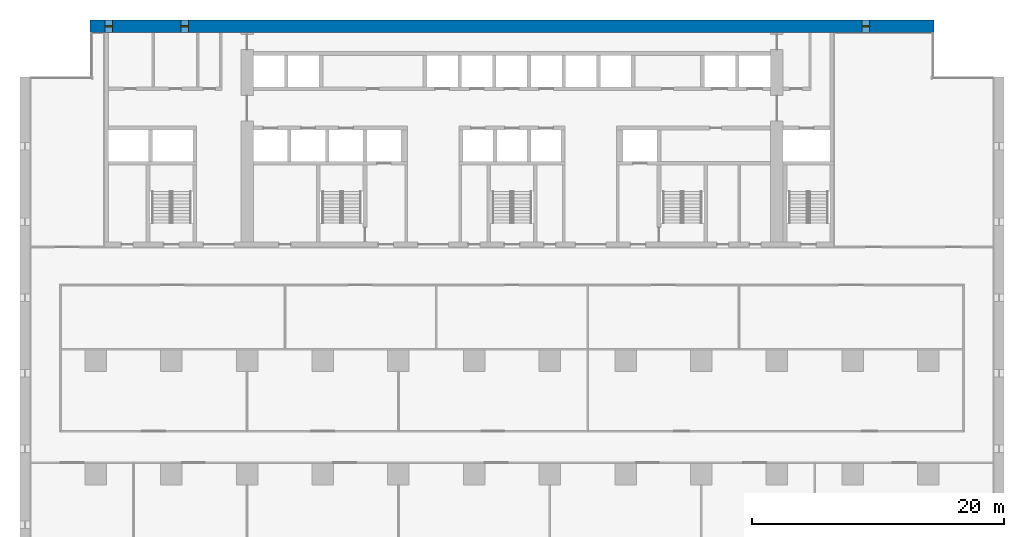
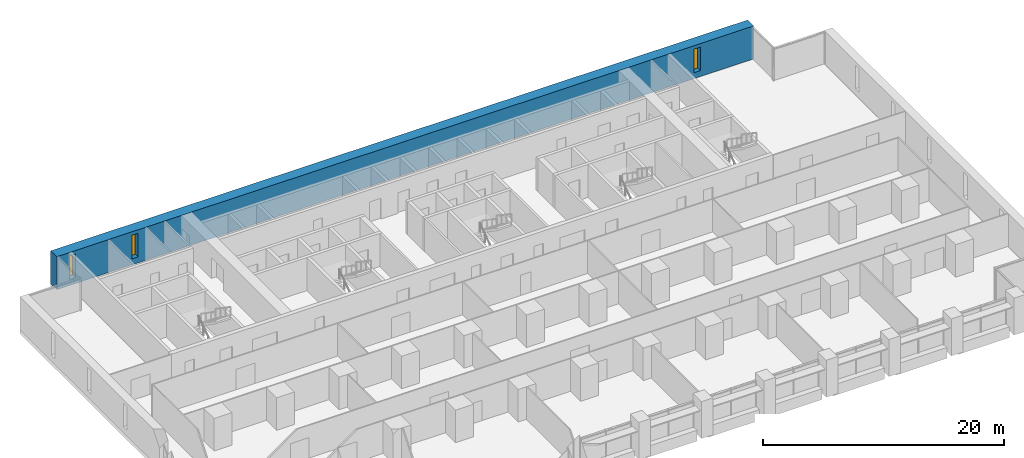
# One storey, part 12 of 18: 3 windows, 1 wall, 3 openings.
"""IFC4 building model written with IfcOpenShell, lengths in metres."""

from ifc_helpers import new_model, si_unit, direction, frame, frame_2d, origin, place, context, subcontext, project, spatial, rectangle, extrude, material, layer, layer_set, type_object, element, fill, save


model = new_model("IFC4")

# Units and contexts
model_context = context("Model", 3, precision=1e-05, world=origin(), true_north=direction((0.0, 1.0)))
body_context = subcontext(model_context, "Body", "Model", "MODEL_VIEW")
ifc_project = project(units=[si_unit("LENGTHUNIT", "METRE"), si_unit("AREAUNIT", "SQUARE_METRE"), si_unit("VOLUMEUNIT", "CUBIC_METRE"), si_unit("PLANEANGLEUNIT", "RADIAN"), si_unit("MASSUNIT", "GRAM", prefix="KILO")], contexts=[model_context])

# Site, building, storey
site_placement = place(None, origin())
site = spatial("IfcSite", under=ifc_project, at=site_placement, CompositionType="ELEMENT")
building_placement = place(site_placement, origin())
building = spatial("IfcBuilding", under=site, at=building_placement, Name="Calvaro Tower", CompositionType="ELEMENT")
storey_placement = place(building_placement, frame((0.0, 0.0, 52.5)))
storey = spatial("IfcBuildingStorey", under=building, at=storey_placement, Name="L12", CompositionType="ELEMENT", Elevation=52.5)

# Wall, openings, windows
ifc_material_1 = material(Name="Concrete C80/95", Category="concrete")
ifc_layer = layer(ifc_material_1, 1.0)
ifc_layer_set = layer_set([ifc_layer], Name="Concrete C80/95")
wall_type = type_object("IfcWallType", Name="Rear core wall 1000 C80/95", PredefinedType="SHEAR", material=ifc_layer_set)
wall_placement = place(storey_placement, frame((5.550048828125, 45.5, 0.0), z_axis=(0.0, 0.0, 1.0), x_axis=(1.0, 0.0, 0.0)))
wall = element("IfcWall", 1, at=wall_placement, inside=storey, type_object=wall_type, Name="North core wall", PredefinedType="SHEAR", context=body_context, shape_type="SweptSolid", body=[
    extrude(rectangle(XDim=66.89990234375, YDim=1.0, at=frame_2d((33.449951171875, 0.0))), origin(), (0.0, 0.0, 1.0), 3.35009765625),
])
opening_1_placement = place(wall_placement, frame((1.199951171875, 0.0, 0.60009765625)))
opening_1 = element("IfcOpeningElement", 2, at=opening_1_placement, cuts=wall, Name="Opening WN01", PredefinedType="OPENING", context=body_context, shape_type="SweptSolid", body=[
    extrude(rectangle(XDim=0.60009765625, YDim=2.39990234375, at=frame_2d((0.300048828125, 1.199951171875))), frame((0.0, 0.510009765625, 0.0), z_axis=(0.0, -1.0, 0.0), x_axis=(1.0, 0.0, 0.0)), (0.0, 0.0, 1.0), 1.02001953125),
])
opening_2_placement = place(wall_placement, frame((7.199951171875, 0.0, 0.60009765625)))
opening_2 = element("IfcOpeningElement", 3, at=opening_2_placement, cuts=wall, Name="Opening WN02", PredefinedType="OPENING", context=body_context, shape_type="SweptSolid", body=[
    extrude(rectangle(XDim=0.60009765625, YDim=2.39990234375, at=frame_2d((0.300048828125, 1.199951171875))), frame((0.0, 0.510009765625, 0.0), z_axis=(0.0, -1.0, 0.0), x_axis=(1.0, 0.0, 0.0)), (0.0, 0.0, 1.0), 1.02001953125),
])
opening_3_placement = place(wall_placement, frame((61.199951171875, 0.0, 0.60009765625)))
opening_3 = element("IfcOpeningElement", 4, at=opening_3_placement, cuts=wall, Name="Opening WN11", PredefinedType="OPENING", context=body_context, shape_type="SweptSolid", body=[
    extrude(rectangle(XDim=0.60009765625, YDim=2.39990234375, at=frame_2d((0.300048828125, 1.199951171875))), frame((0.0, 0.510009765625, 0.0), z_axis=(0.0, -1.0, 0.0), x_axis=(1.0, 0.0, 0.0)), (0.0, 0.0, 1.0), 1.02001953125),
])
ifc_material_2 = material(Name="Glass", Category="glass")
window_type = type_object("IfcWindowType", Name="Slit window 600 x 2400", PartitioningType="SINGLE_PANEL", PredefinedType="WINDOW", material=ifc_material_2)
window_1_placement = place(opening_1_placement, origin())
window_1 = element("IfcWindow", 5, at=window_1_placement, inside=storey, type_object=window_type, Name="Window WN01", OverallHeight=2.39990234375, OverallWidth=0.60009765625, PartitioningType="SINGLE_PANEL", PredefinedType="WINDOW", context=body_context, shape_type="SweptSolid", body=[
    extrude(rectangle(XDim=0.60009765625, YDim=2.39990234375, at=frame_2d((0.300048828125, 1.199951171875))), frame((0.0, 0.030029296875, 0.0), z_axis=(0.0, -1.0, 0.0), x_axis=(1.0, 0.0, 0.0)), (0.0, 0.0, 1.0), 0.06005859375),
])
fill(opening_1, window_1)
window_2_placement = place(opening_2_placement, origin())
window_2 = element("IfcWindow", 6, at=window_2_placement, inside=storey, type_object=window_type, Name="Window WN02", OverallHeight=2.39990234375, OverallWidth=0.60009765625, PartitioningType="SINGLE_PANEL", PredefinedType="WINDOW", context=body_context, shape_type="SweptSolid", body=[
    extrude(rectangle(XDim=0.60009765625, YDim=2.39990234375, at=frame_2d((0.300048828125, 1.199951171875))), frame((0.0, 0.030029296875, 0.0), z_axis=(0.0, -1.0, 0.0), x_axis=(1.0, 0.0, 0.0)), (0.0, 0.0, 1.0), 0.06005859375),
])
fill(opening_2, window_2)
window_3_placement = place(opening_3_placement, origin())
window_3 = element("IfcWindow", 7, at=window_3_placement, inside=storey, type_object=window_type, Name="Window WN11", OverallHeight=2.39990234375, OverallWidth=0.60009765625, PartitioningType="SINGLE_PANEL", PredefinedType="WINDOW", context=body_context, shape_type="SweptSolid", body=[
    extrude(rectangle(XDim=0.60009765625, YDim=2.39990234375, at=frame_2d((0.300048828125, 1.199951171875))), frame((0.0, 0.030029296875, 0.0), z_axis=(0.0, -1.0, 0.0), x_axis=(1.0, 0.0, 0.0)), (0.0, 0.0, 1.0), 0.06005859375),
])
fill(opening_3, window_3)

save(model, "model.ifc")
